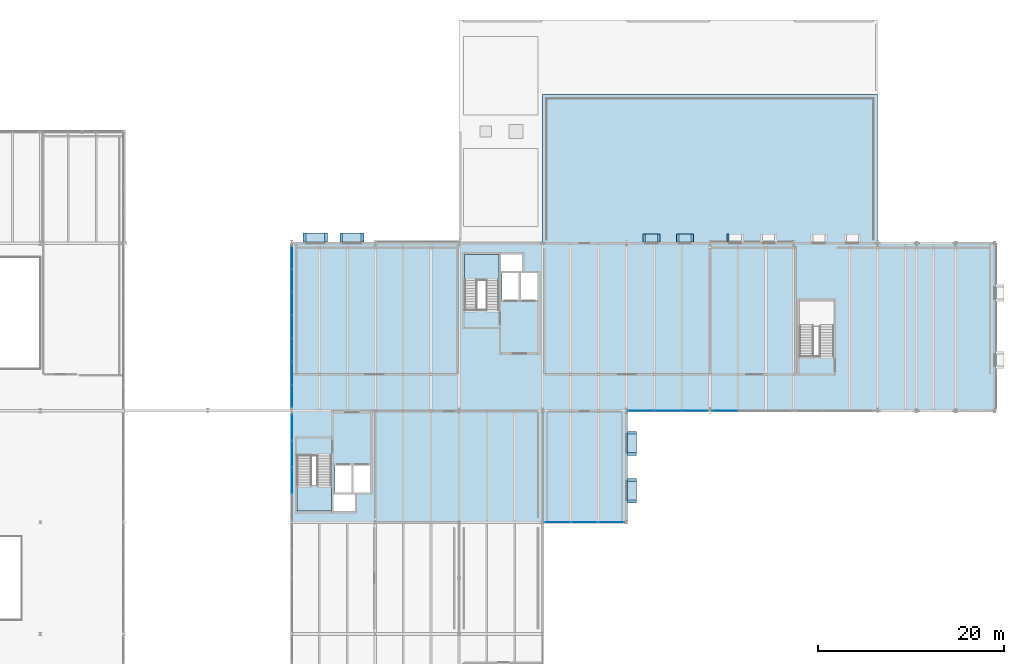
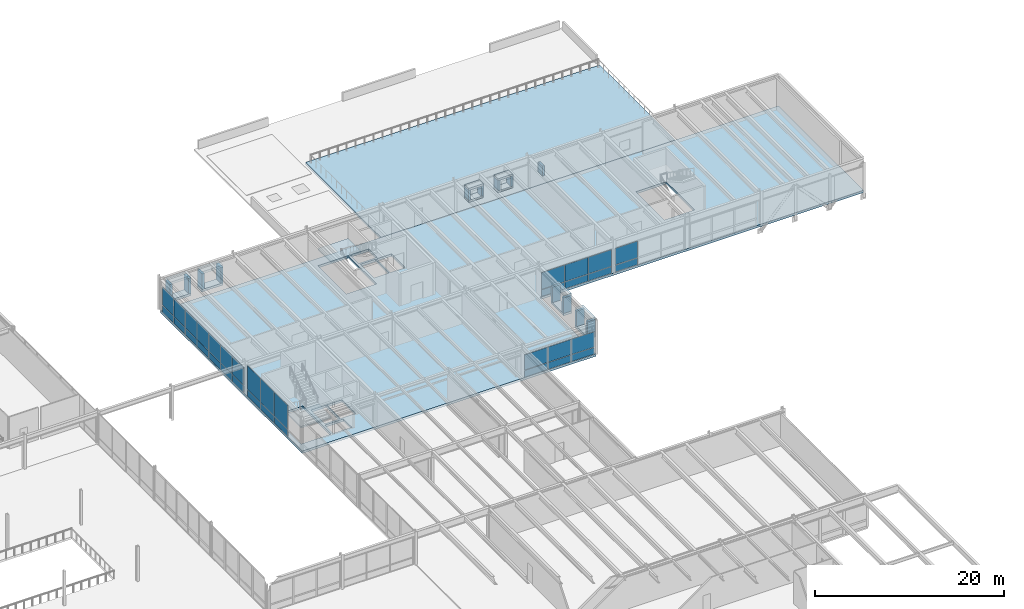
# One storey, part 95 of 115: 59 plates, 4 slabs, 7 elements without a shape of their own.
"""IFC4 building model written with IfcOpenShell, lengths in metres."""

from ifc_helpers import new_model, si_unit, direction, frame, origin, origin_2d, place, context, subcontext, project, spatial, polyline, rectangle, outline, extrude, material, layer, layer_set, type_object, element, aggregate, save


model = new_model("IFC4")

# Units and contexts
model_context = context("Model", 3, precision=1e-05, world=origin(), true_north=direction((0.0, 1.0)))
body_context = subcontext(model_context, "Body", "Model", "MODEL_VIEW")
ifc_project = project(units=[si_unit("LENGTHUNIT", "METRE"), si_unit("AREAUNIT", "SQUARE_METRE"), si_unit("VOLUMEUNIT", "CUBIC_METRE"), si_unit("PLANEANGLEUNIT", "RADIAN"), si_unit("MASSUNIT", "GRAM", prefix="KILO")], contexts=[model_context])

# Site, building, storey
site_placement = place(None, origin())
site = spatial("IfcSite", under=ifc_project, at=site_placement, CompositionType="ELEMENT")
building_placement = place(site_placement, origin())
building = spatial("IfcBuilding", under=site, at=building_placement, Name="Montelvaro Courts of Justice", CompositionType="ELEMENT")
storey_placement = place(building_placement, frame((0.0, 0.0, 9.89990234375)))
storey = spatial("IfcBuildingStorey", under=building, at=storey_placement, Name="L02", CompositionType="ELEMENT", Elevation=9.89990234375)

# Curtain wall, plates
ifc_material_1 = material(Name="Anodised aluminium EN AW-6063", Category="aluminium")
ifc_layer_1 = layer(ifc_material_1, 0.159912109375)
ifc_layer_set_1 = layer_set([ifc_layer_1], Name="Anodised aluminium EN AW-6063")
curtain_wall_type_1 = type_object("IfcCurtainWallType", Name="CurtainWall_18_868x418", PredefinedType="USERDEFINED", material=ifc_layer_set_1)
curtain_wall_1_placement = place(storey_placement, origin())
curtain_wall_1 = element("IfcCurtainWall", 1, at=curtain_wall_1_placement, inside=storey, type_object=curtain_wall_type_1, Name="Curtain Wall CW-18 (L02)", ObjectType="CURTAIN WALL", PredefinedType="USERDEFINED")
ifc_material_2 = material(Name="Low-E solar control double glazing", Category="glass")
ifc_layer_2 = layer(ifc_material_2, 0.028076171875)
ifc_layer_set_2 = layer_set([ifc_layer_2], Name="Low-E solar control double glazing")
plate_type_1 = type_object("IfcPlateType", Name="CurtainWall_Glazed_Panel_28", PredefinedType="CURTAIN_PANEL", material=ifc_layer_set_2)
plate_1_placement = place(storey_placement, frame((127.620361328125, 66.0, 0.06005859375), z_axis=(0.0, 0.0, 1.0), x_axis=(1.0, 0.0, 0.0)))
plate_1 = element("IfcPlate", 2, at=plate_1_placement, type_object=plate_type_1, Name="CW-18 panel 1.1", PredefinedType="CURTAIN_PANEL", context=body_context, shape_type="SweptSolid", body=[
    extrude(rectangle(XDim=2.78076171875, YDim=0.028076171875, at=origin_2d()), origin(), (0.0, 0.0, 1.0), 0.860107421875),
])
plate_2_placement = place(storey_placement, frame((127.620361328125, 66.0, 0.97998046875), z_axis=(0.0, 0.0, 1.0), x_axis=(1.0, 0.0, 0.0)))
plate_2 = element("IfcPlate", 3, at=plate_2_placement, type_object=plate_type_1, Name="CW-18 panel 1.2", PredefinedType="CURTAIN_PANEL", context=body_context, shape_type="SweptSolid", body=[
    extrude(rectangle(XDim=2.78076171875, YDim=0.028076171875, at=origin_2d()), origin(), (0.0, 0.0, 1.0), 1.965087890625),
])
plate_3_placement = place(storey_placement, frame((130.4951171875, 66.0, 0.06005859375), z_axis=(0.0, 0.0, 1.0), x_axis=(1.0, 0.0, 0.0)))
plate_3 = element("IfcPlate", 4, at=plate_3_placement, type_object=plate_type_1, Name="CW-18 panel 2.1", PredefinedType="CURTAIN_PANEL", context=body_context, shape_type="SweptSolid", body=[
    extrude(rectangle(XDim=2.818359375, YDim=0.028076171875, at=origin_2d()), origin(), (0.0, 0.0, 1.0), 0.860107421875),
])
plate_4_placement = place(storey_placement, frame((130.4951171875, 66.0, 0.97998046875), z_axis=(0.0, 0.0, 1.0), x_axis=(1.0, 0.0, 0.0)))
plate_4 = element("IfcPlate", 5, at=plate_4_placement, type_object=plate_type_1, Name="CW-18 panel 2.2", PredefinedType="CURTAIN_PANEL", context=body_context, shape_type="SweptSolid", body=[
    extrude(rectangle(XDim=2.818359375, YDim=0.028076171875, at=origin_2d()), origin(), (0.0, 0.0, 1.0), 1.965087890625),
])
plate_5_placement = place(storey_placement, frame((133.36962890625, 66.0, 0.06005859375), z_axis=(0.0, 0.0, 1.0), x_axis=(1.0, 0.0, 0.0)))
plate_5 = element("IfcPlate", 6, at=plate_5_placement, type_object=plate_type_1, Name="CW-18 panel 3.1", PredefinedType="CURTAIN_PANEL", context=body_context, shape_type="SweptSolid", body=[
    extrude(rectangle(XDim=2.78076171875, YDim=0.028076171875, at=origin_2d()), origin(), (0.0, 0.0, 1.0), 0.860107421875),
])
plate_6_placement = place(storey_placement, frame((133.36962890625, 66.0, 0.97998046875), z_axis=(0.0, 0.0, 1.0), x_axis=(1.0, 0.0, 0.0)))
plate_6 = element("IfcPlate", 7, at=plate_6_placement, type_object=plate_type_1, Name="CW-18 panel 3.2", PredefinedType="CURTAIN_PANEL", context=body_context, shape_type="SweptSolid", body=[
    extrude(rectangle(XDim=2.78076171875, YDim=0.028076171875, at=origin_2d()), origin(), (0.0, 0.0, 1.0), 1.965087890625),
])
aggregate(curtain_wall_1, [plate_1, plate_2, plate_3, plate_4, plate_5, plate_6])

ifc_layer_3 = layer(ifc_material_1, 0.159912109375)
ifc_layer_set_3 = layer_set([ifc_layer_3], Name="Anodised aluminium EN AW-6063")
curtain_wall_type_2 = type_object("IfcCurtainWallType", Name="CurtainWall_14_867x418", PredefinedType="USERDEFINED", material=ifc_layer_set_3)
curtain_wall_2_placement = place(storey_placement, origin())
curtain_wall_2 = element("IfcCurtainWall", 8, at=curtain_wall_2_placement, inside=storey, type_object=curtain_wall_type_2, Name="Curtain Wall CW-14 (L02)", ObjectType="CURTAIN WALL", PredefinedType="USERDEFINED")
plate_7_placement = place(storey_placement, frame((136.625, 78.0, 0.06005859375), z_axis=(0.0, 0.0, 1.0), x_axis=(1.0, 0.0, 0.0)))
plate_7 = element("IfcPlate", 9, at=plate_7_placement, type_object=plate_type_1, Name="CW-14 panel 1.1", PredefinedType="CURTAIN_PANEL", context=body_context, shape_type="SweptSolid", body=[
    extrude(rectangle(XDim=2.800048828125, YDim=0.028076171875, at=origin_2d()), origin(), (0.0, 0.0, 1.0), 0.860107421875),
])
plate_8_placement = place(storey_placement, frame((136.625, 78.0, 0.980224609375), z_axis=(0.0, 0.0, 1.0), x_axis=(1.0, 0.0, 0.0)))
plate_8 = element("IfcPlate", 10, at=plate_8_placement, type_object=plate_type_1, Name="CW-14 panel 1.2", PredefinedType="CURTAIN_PANEL", context=body_context, shape_type="SweptSolid", body=[
    extrude(rectangle(XDim=2.800048828125, YDim=0.028076171875, at=origin_2d()), origin(), (0.0, 0.0, 1.0), 2.14697265625),
])
plate_9_placement = place(storey_placement, frame((139.5, 78.0, 0.06005859375), z_axis=(0.0, 0.0, 1.0), x_axis=(1.0, 0.0, 0.0)))
plate_9 = element("IfcPlate", 11, at=plate_9_placement, type_object=plate_type_1, Name="CW-14 panel 2.1", PredefinedType="CURTAIN_PANEL", context=body_context, shape_type="SweptSolid", body=[
    extrude(rectangle(XDim=2.830078125, YDim=0.028076171875, at=origin_2d()), origin(), (0.0, 0.0, 1.0), 0.860107421875),
])
plate_10_placement = place(storey_placement, frame((139.5, 78.0, 0.980224609375), z_axis=(0.0, 0.0, 1.0), x_axis=(1.0, 0.0, 0.0)))
plate_10 = element("IfcPlate", 12, at=plate_10_placement, type_object=plate_type_1, Name="CW-14 panel 2.2", PredefinedType="CURTAIN_PANEL", context=body_context, shape_type="SweptSolid", body=[
    extrude(rectangle(XDim=2.830078125, YDim=0.028076171875, at=origin_2d()), origin(), (0.0, 0.0, 1.0), 2.14697265625),
])
plate_11_placement = place(storey_placement, frame((142.375, 78.0, 0.06005859375), z_axis=(0.0, 0.0, 1.0), x_axis=(1.0, 0.0, 0.0)))
plate_11 = element("IfcPlate", 13, at=plate_11_placement, type_object=plate_type_1, Name="CW-14 panel 3.1", PredefinedType="CURTAIN_PANEL", context=body_context, shape_type="SweptSolid", body=[
    extrude(rectangle(XDim=2.800048828125, YDim=0.028076171875, at=origin_2d()), origin(), (0.0, 0.0, 1.0), 0.860107421875),
])
plate_12_placement = place(storey_placement, frame((142.375, 78.0, 0.980224609375), z_axis=(0.0, 0.0, 1.0), x_axis=(1.0, 0.0, 0.0)))
plate_12 = element("IfcPlate", 14, at=plate_12_placement, type_object=plate_type_1, Name="CW-14 panel 3.2", PredefinedType="CURTAIN_PANEL", context=body_context, shape_type="SweptSolid", body=[
    extrude(rectangle(XDim=2.800048828125, YDim=0.028076171875, at=origin_2d()), origin(), (0.0, 0.0, 1.0), 2.14697265625),
])
aggregate(curtain_wall_2, [plate_7, plate_8, plate_9, plate_10, plate_11, plate_12])

ifc_layer_4 = layer(ifc_material_1, 0.159912109375)
ifc_layer_set_4 = layer_set([ifc_layer_4], Name="Anodised aluminium EN AW-6063")
curtain_wall_type_3 = type_object("IfcCurtainWallType", Name="CurtainWall_21_849x418", PredefinedType="USERDEFINED", material=ifc_layer_set_4)
curtain_wall_3_placement = place(storey_placement, origin())
curtain_wall_3 = element("IfcCurtainWall", 15, at=curtain_wall_3_placement, inside=storey, type_object=curtain_wall_type_3, Name="Curtain Wall CW-21 (L02)", ObjectType="CURTAIN WALL", PredefinedType="USERDEFINED")
plate_13_placement = place(storey_placement, frame((145.60009765625, 78.0, 0.0751953125), z_axis=(0.0, 0.0, 1.0), x_axis=(1.0, 0.0, 0.0)))
plate_13 = element("IfcPlate", 16, at=plate_13_placement, type_object=plate_type_1, Name="CW-21 panel 1.1", PredefinedType="CURTAIN_PANEL", context=body_context, shape_type="SweptSolid", body=[
    extrude(rectangle(XDim=2.75, YDim=0.028076171875, at=origin_2d()), origin(), (0.0, 0.0, 1.0), 0.83740234375),
])
plate_14_placement = place(storey_placement, frame((145.60009765625, 78.0, 0.987548828125), z_axis=(0.0, 0.0, 1.0), x_axis=(1.0, 0.0, 0.0)))
plate_14 = element("IfcPlate", 17, at=plate_14_placement, type_object=plate_type_1, Name="CW-21 panel 1.2", PredefinedType="CURTAIN_PANEL", context=body_context, shape_type="SweptSolid", body=[
    extrude(rectangle(XDim=2.75, YDim=0.028076171875, at=origin_2d()), origin(), (0.0, 0.0, 1.0), 2.12451171875),
])
aggregate(curtain_wall_3, [plate_13, plate_14])

ifc_layer_5 = layer(ifc_material_1, 0.159912109375)
ifc_layer_set_5 = layer_set([ifc_layer_5], Name="Anodised aluminium EN AW-6063")
curtain_wall_type_4 = type_object("IfcCurtainWallType", Name="CurtainWall_27_1737x418", PredefinedType="USERDEFINED", material=ifc_layer_set_5)
curtain_wall_4_placement = place(storey_placement, origin())
curtain_wall_4 = element("IfcCurtainWall", 18, at=curtain_wall_4_placement, inside=storey, type_object=curtain_wall_type_4, Name="Curtain Wall CW-27 (L02)", ObjectType="CURTAIN WALL", PredefinedType="USERDEFINED")
plate_15_placement = place(storey_placement, frame((99.050048828125, 94.427978515625, 0.06005859375), z_axis=(0.0, 0.0, 1.0), x_axis=(0.0, -1.0, 0.0)))
plate_15 = element("IfcPlate", 19, at=plate_15_placement, type_object=plate_type_1, Name="CW-27 panel 1.1", PredefinedType="CURTAIN_PANEL", context=body_context, shape_type="SweptSolid", body=[
    extrude(rectangle(XDim=2.384033203125, YDim=0.028076171875, at=origin_2d()), origin(), (0.0, 0.0, 1.0), 0.860107421875),
])
plate_16_placement = place(storey_placement, frame((99.050048828125, 94.427978515625, 0.980224609375), z_axis=(0.0, 0.0, 1.0), x_axis=(0.0, -1.0, 0.0)))
plate_16 = element("IfcPlate", 20, at=plate_16_placement, type_object=plate_type_1, Name="CW-27 panel 1.2", PredefinedType="CURTAIN_PANEL", context=body_context, shape_type="SweptSolid", body=[
    extrude(rectangle(XDim=2.384033203125, YDim=0.028076171875, at=origin_2d()), origin(), (0.0, 0.0, 1.0), 2.35498046875),
])
plate_17_placement = place(storey_placement, frame((99.050048828125, 91.962890625, 0.06005859375), z_axis=(0.0, 0.0, 1.0), x_axis=(0.0, -1.0, 0.0)))
plate_17 = element("IfcPlate", 21, at=plate_17_placement, type_object=plate_type_1, Name="CW-27 panel 2.1", PredefinedType="CURTAIN_PANEL", context=body_context, shape_type="SweptSolid", body=[
    extrude(rectangle(XDim=2.41650390625, YDim=0.028076171875, at=origin_2d()), origin(), (0.0, 0.0, 1.0), 0.860107421875),
])
plate_18_placement = place(storey_placement, frame((99.050048828125, 91.962890625, 0.980224609375), z_axis=(0.0, 0.0, 1.0), x_axis=(0.0, -1.0, 0.0)))
plate_18 = element("IfcPlate", 22, at=plate_18_placement, type_object=plate_type_1, Name="CW-27 panel 2.2", PredefinedType="CURTAIN_PANEL", context=body_context, shape_type="SweptSolid", body=[
    extrude(rectangle(XDim=2.41650390625, YDim=0.028076171875, at=origin_2d()), origin(), (0.0, 0.0, 1.0), 2.35498046875),
])
plate_19_placement = place(storey_placement, frame((99.050048828125, 89.4814453125, 0.06005859375), z_axis=(0.0, 0.0, 1.0), x_axis=(0.0, -1.0, 0.0)))
plate_19 = element("IfcPlate", 23, at=plate_19_placement, type_object=plate_type_1, Name="CW-27 panel 3.1", PredefinedType="CURTAIN_PANEL", context=body_context, shape_type="SweptSolid", body=[
    extrude(rectangle(XDim=2.41650390625, YDim=0.028076171875, at=origin_2d()), origin(), (0.0, 0.0, 1.0), 0.860107421875),
])
plate_20_placement = place(storey_placement, frame((99.050048828125, 89.4814453125, 0.980224609375), z_axis=(0.0, 0.0, 1.0), x_axis=(0.0, -1.0, 0.0)))
plate_20 = element("IfcPlate", 24, at=plate_20_placement, type_object=plate_type_1, Name="CW-27 panel 3.2", PredefinedType="CURTAIN_PANEL", context=body_context, shape_type="SweptSolid", body=[
    extrude(rectangle(XDim=2.41650390625, YDim=0.028076171875, at=origin_2d()), origin(), (0.0, 0.0, 1.0), 2.35498046875),
])
plate_21_placement = place(storey_placement, frame((99.050048828125, 87.0, 0.06005859375), z_axis=(0.0, 0.0, 1.0), x_axis=(0.0, -1.0, 0.0)))
plate_21 = element("IfcPlate", 25, at=plate_21_placement, type_object=plate_type_1, Name="CW-27 panel 4.1", PredefinedType="CURTAIN_PANEL", context=body_context, shape_type="SweptSolid", body=[
    extrude(rectangle(XDim=2.41650390625, YDim=0.028076171875, at=origin_2d()), origin(), (0.0, 0.0, 1.0), 0.860107421875),
])
plate_22_placement = place(storey_placement, frame((99.050048828125, 87.0, 0.980224609375), z_axis=(0.0, 0.0, 1.0), x_axis=(0.0, -1.0, 0.0)))
plate_22 = element("IfcPlate", 26, at=plate_22_placement, type_object=plate_type_1, Name="CW-27 panel 4.2", PredefinedType="CURTAIN_PANEL", context=body_context, shape_type="SweptSolid", body=[
    extrude(rectangle(XDim=2.41650390625, YDim=0.028076171875, at=origin_2d()), origin(), (0.0, 0.0, 1.0), 2.35498046875),
])
plate_23_placement = place(storey_placement, frame((99.050048828125, 84.5185546875, 0.06005859375), z_axis=(0.0, 0.0, 1.0), x_axis=(0.0, -1.0, 0.0)))
plate_23 = element("IfcPlate", 27, at=plate_23_placement, type_object=plate_type_1, Name="CW-27 panel 5.1", PredefinedType="CURTAIN_PANEL", context=body_context, shape_type="SweptSolid", body=[
    extrude(rectangle(XDim=2.41650390625, YDim=0.028076171875, at=origin_2d()), origin(), (0.0, 0.0, 1.0), 0.860107421875),
])
plate_24_placement = place(storey_placement, frame((99.050048828125, 84.5185546875, 0.980224609375), z_axis=(0.0, 0.0, 1.0), x_axis=(0.0, -1.0, 0.0)))
plate_24 = element("IfcPlate", 28, at=plate_24_placement, type_object=plate_type_1, Name="CW-27 panel 5.2", PredefinedType="CURTAIN_PANEL", context=body_context, shape_type="SweptSolid", body=[
    extrude(rectangle(XDim=2.41650390625, YDim=0.028076171875, at=origin_2d()), origin(), (0.0, 0.0, 1.0), 2.35498046875),
])
plate_25_placement = place(storey_placement, frame((99.050048828125, 82.037109375, 0.06005859375), z_axis=(0.0, 0.0, 1.0), x_axis=(0.0, -1.0, 0.0)))
plate_25 = element("IfcPlate", 29, at=plate_25_placement, type_object=plate_type_1, Name="CW-27 panel 6.1", PredefinedType="CURTAIN_PANEL", context=body_context, shape_type="SweptSolid", body=[
    extrude(rectangle(XDim=2.41650390625, YDim=0.028076171875, at=origin_2d()), origin(), (0.0, 0.0, 1.0), 0.860107421875),
])
plate_26_placement = place(storey_placement, frame((99.050048828125, 82.037109375, 0.980224609375), z_axis=(0.0, 0.0, 1.0), x_axis=(0.0, -1.0, 0.0)))
plate_26 = element("IfcPlate", 30, at=plate_26_placement, type_object=plate_type_1, Name="CW-27 panel 6.2", PredefinedType="CURTAIN_PANEL", context=body_context, shape_type="SweptSolid", body=[
    extrude(rectangle(XDim=2.41650390625, YDim=0.028076171875, at=origin_2d()), origin(), (0.0, 0.0, 1.0), 2.35498046875),
])
plate_27_placement = place(storey_placement, frame((99.050048828125, 79.572021484375, 0.06005859375), z_axis=(0.0, 0.0, 1.0), x_axis=(0.0, -1.0, 0.0)))
plate_27 = element("IfcPlate", 31, at=plate_27_placement, type_object=plate_type_1, Name="CW-27 panel 7.1", PredefinedType="CURTAIN_PANEL", context=body_context, shape_type="SweptSolid", body=[
    extrude(rectangle(XDim=2.384033203125, YDim=0.028076171875, at=origin_2d()), origin(), (0.0, 0.0, 1.0), 0.860107421875),
])
plate_28_placement = place(storey_placement, frame((99.050048828125, 79.572021484375, 0.980224609375), z_axis=(0.0, 0.0, 1.0), x_axis=(0.0, -1.0, 0.0)))
plate_28 = element("IfcPlate", 32, at=plate_28_placement, type_object=plate_type_1, Name="CW-27 panel 7.2", PredefinedType="CURTAIN_PANEL", context=body_context, shape_type="SweptSolid", body=[
    extrude(rectangle(XDim=2.384033203125, YDim=0.028076171875, at=origin_2d()), origin(), (0.0, 0.0, 1.0), 2.35498046875),
])
aggregate(curtain_wall_4, [plate_15, plate_16, plate_17, plate_18, plate_19, plate_20, plate_21, plate_22, plate_23, plate_24, plate_25, plate_26, plate_27, plate_28])

ifc_layer_6 = layer(ifc_material_1, 0.159912109375)
ifc_layer_set_6 = layer_set([ifc_layer_6], Name="Anodised aluminium EN AW-6063")
curtain_wall_type_5 = type_object("IfcCurtainWallType", Name="CurtainWall_23_1154x418", PredefinedType="USERDEFINED", material=ifc_layer_set_6)
curtain_wall_5_placement = place(storey_placement, origin())
curtain_wall_5 = element("IfcCurtainWall", 33, at=curtain_wall_5_placement, inside=storey, type_object=curtain_wall_type_5, Name="Curtain Wall CW-23 (L02)", ObjectType="CURTAIN WALL", PredefinedType="USERDEFINED")
plate_29_placement = place(storey_placement, frame((99.050048828125, 76.22509765625, 0.06005859375), z_axis=(0.0, 0.0, 1.0), x_axis=(0.0, -1.0, 0.0)))
plate_29 = element("IfcPlate", 34, at=plate_29_placement, type_object=plate_type_1, Name="CW-23 panel 1.1", PredefinedType="CURTAIN_PANEL", context=body_context, shape_type="SweptSolid", body=[
    extrude(rectangle(XDim=2.77001953125, YDim=0.028076171875, at=origin_2d()), origin(), (0.0, 0.0, 1.0), 0.860107421875),
])
plate_30_placement = place(storey_placement, frame((99.050048828125, 76.22509765625, 0.97998046875), z_axis=(0.0, 0.0, 1.0), x_axis=(0.0, -1.0, 0.0)))
plate_30 = element("IfcPlate", 35, at=plate_30_placement, type_object=plate_type_1, Name="CW-23 panel 1.2", PredefinedType="CURTAIN_PANEL", context=body_context, shape_type="SweptSolid", body=[
    extrude(rectangle(XDim=2.77001953125, YDim=0.028076171875, at=origin_2d()), origin(), (0.0, 0.0, 1.0), 3.080078125),
])
plate_31_placement = place(storey_placement, frame((99.050048828125, 73.361328125, 0.06005859375), z_axis=(0.0, 0.0, 1.0), x_axis=(0.0, -1.0, 0.0)))
plate_31 = element("IfcPlate", 36, at=plate_31_placement, type_object=plate_type_1, Name="CW-23 panel 2.1", PredefinedType="CURTAIN_PANEL", context=body_context, shape_type="SweptSolid", body=[
    extrude(rectangle(XDim=2.8076171875, YDim=0.028076171875, at=origin_2d()), origin(), (0.0, 0.0, 1.0), 0.860107421875),
])
plate_32_placement = place(storey_placement, frame((99.050048828125, 73.361328125, 0.97998046875), z_axis=(0.0, 0.0, 1.0), x_axis=(0.0, -1.0, 0.0)))
plate_32 = element("IfcPlate", 37, at=plate_32_placement, type_object=plate_type_1, Name="CW-23 panel 2.2", PredefinedType="CURTAIN_PANEL", context=body_context, shape_type="SweptSolid", body=[
    extrude(rectangle(XDim=2.8076171875, YDim=0.028076171875, at=origin_2d()), origin(), (0.0, 0.0, 1.0), 3.080078125),
])
plate_33_placement = place(storey_placement, frame((99.050048828125, 70.478759765625, 0.06005859375), z_axis=(0.0, 0.0, 1.0), x_axis=(0.0, -1.0, 0.0)))
plate_33 = element("IfcPlate", 38, at=plate_33_placement, type_object=plate_type_1, Name="CW-23 panel 3.1", PredefinedType="CURTAIN_PANEL", context=body_context, shape_type="SweptSolid", body=[
    extrude(rectangle(XDim=2.8076171875, YDim=0.028076171875, at=origin_2d()), origin(), (0.0, 0.0, 1.0), 0.860107421875),
])
plate_34_placement = place(storey_placement, frame((99.050048828125, 70.478759765625, 0.97998046875), z_axis=(0.0, 0.0, 1.0), x_axis=(0.0, -1.0, 0.0)))
plate_34 = element("IfcPlate", 39, at=plate_34_placement, type_object=plate_type_1, Name="CW-23 panel 3.2", PredefinedType="CURTAIN_PANEL", context=body_context, shape_type="SweptSolid", body=[
    extrude(rectangle(XDim=2.8076171875, YDim=0.028076171875, at=origin_2d()), origin(), (0.0, 0.0, 1.0), 3.080078125),
])
aggregate(curtain_wall_5, [plate_29, plate_30, plate_31, plate_32, plate_33, plate_34])

# Slab
ifc_material_3 = material(Name="Concrete C35/45", Category="concrete")
ifc_layer_7 = layer(ifc_material_3, 0.300048828125)
ifc_layer_set_7 = layer_set([ifc_layer_7], Name="Concrete C35/45")
slab_type_1 = type_object("IfcSlabType", Name="FloorSlab_300", PredefinedType="FLOOR", material=ifc_layer_set_7)
slab_1_placement = place(storey_placement, frame((0.0, 0.0, -0.2998046875)))
element("IfcSlab", 40, at=slab_1_placement, inside=storey, type_object=slab_type_1, Name="Structural Slab SF-02 L02", PredefinedType="FLOOR", context=body_context, shape_type="SweptSolid", body=[
    extrude(outline(polyline([(99.050048828125, 66.0), (135.0, 66.0), (135.0, 78.0), (174.60009765625, 78.0), (174.60009765625, 96.0), (99.050048828125, 96.0), (99.050048828125, 66.0)]), holes=[polyline([(117.60009765625, 88.800048828125), (121.300048828125, 88.800048828125), (121.300048828125, 94.800048828125), (117.60009765625, 94.800048828125), (117.60009765625, 88.800048828125)]), polyline([(121.5400390625, 93.0400390625), (123.800048828125, 93.0400390625), (123.800048828125, 94.800048828125), (121.5400390625, 94.800048828125), (121.5400390625, 93.0400390625)]), polyline([(121.64990234375, 89.89990234375), (123.5, 89.89990234375), (123.5, 92.800048828125), (121.64990234375, 92.800048828125), (121.64990234375, 89.89990234375)]), polyline([(123.60009765625, 89.89990234375), (125.449951171875, 89.89990234375), (125.449951171875, 92.800048828125), (123.60009765625, 92.800048828125), (123.60009765625, 89.89990234375)]), polyline([(99.60009765625, 67.199951171875), (103.300048828125, 67.199951171875), (103.300048828125, 73.199951171875), (99.60009765625, 73.199951171875), (99.60009765625, 67.199951171875)]), polyline([(103.5400390625, 67.199951171875), (105.800048828125, 67.199951171875), (105.800048828125, 68.9599609375), (103.5400390625, 68.9599609375), (103.5400390625, 67.199951171875)]), polyline([(103.64990234375, 69.199951171875), (105.5, 69.199951171875), (105.5, 72.10009765625), (103.64990234375, 72.10009765625), (103.64990234375, 69.199951171875)]), polyline([(105.60009765625, 69.199951171875), (107.449951171875, 69.199951171875), (107.449951171875, 72.10009765625), (105.60009765625, 72.10009765625), (105.60009765625, 69.199951171875)]), polyline([(153.60009765625, 83.800048828125), (157.300048828125, 83.800048828125), (157.300048828125, 89.800048828125), (153.60009765625, 89.800048828125), (153.60009765625, 83.800048828125)])]), origin(), (0.0, 0.0, 1.0), 0.2998046875),
])

# Plates
ifc_material_4 = material(Name="White mineral precast concrete C45/55", Category="concrete")
ifc_layer_8 = layer(ifc_material_4, 0.25)
ifc_layer_set_8 = layer_set([ifc_layer_8], Name="White mineral precast concrete C45/55")
plate_type_2 = type_object("IfcPlateType", Name="PrecastSquareFrame_250x850", PredefinedType="SHEET", material=ifc_layer_set_8)
plate_35_placement = place(storey_placement, frame((145.927978515625, 96.570068359375, 0.89990234375), z_axis=(0.0, 0.0, 1.0), x_axis=(-1.0, 0.0, 0.0)))
element("IfcPlate", 41, at=plate_35_placement, inside=storey, type_object=plate_type_2, Name="Graduated Square Window Frame PF-03 W-L02-102 R", PredefinedType="SHEET", context=body_context, shape_type="SweptSolid", body=[
    extrude(rectangle(XDim=0.25, YDim=0.860107421875, at=origin_2d()), origin(), (0.0, 0.0, 1.0), 1.300048828125),
])
for number, where, z_axis, x_axis, name in (
    (42, (141.297119140625, 96.570068359375, 2.2001953125), (0.0, 0.0, 1.0), (-1.0, 0.0, 0.0), "Graduated Square Window Frame PF-03 W-L02-103 TOP"),
    (43, (141.297119140625, 96.570068359375, 0.650146484375), (0.0, 0.0, 1.0), (-1.0, 0.0, 0.0), "Graduated Square Window Frame PF-03 W-L02-103 BOT"),
):
    element("IfcPlate", number, at=place(storey_placement, frame(where, z_axis=z_axis, x_axis=x_axis)), inside=storey, type_object=plate_type_2, Name=name, PredefinedType="SHEET", context=body_context, shape_type="SweptSolid", body=[
        extrude(rectangle(XDim=1.800048828125, YDim=0.860107421875, at=origin_2d()), origin(), (0.0, 0.0, 1.0), 0.25),
    ])
for number, where, z_axis, x_axis, name in (
    (44, (142.072021484375, 96.570068359375, 0.89990234375), (0.0, 0.0, 1.0), (-1.0, 0.0, 0.0), "Graduated Square Window Frame PF-03 W-L02-103 L"),
    (45, (140.52197265625, 96.570068359375, 0.89990234375), (0.0, 0.0, 1.0), (-1.0, 0.0, 0.0), "Graduated Square Window Frame PF-03 W-L02-103 R"),
):
    element("IfcPlate", number, at=place(storey_placement, frame(where, z_axis=z_axis, x_axis=x_axis)), inside=storey, type_object=plate_type_2, Name=name, PredefinedType="SHEET", context=body_context, shape_type="SweptSolid", body=[
        extrude(rectangle(XDim=0.25, YDim=0.860107421875, at=origin_2d()), origin(), (0.0, 0.0, 1.0), 1.300048828125),
    ])
for number, where, z_axis, x_axis, name in (
    (46, (137.702880859375, 96.570068359375, 2.2001953125), (0.0, 0.0, 1.0), (-1.0, 0.0, 0.0), "Graduated Square Window Frame PF-03 W-L02-104 TOP"),
    (47, (137.702880859375, 96.570068359375, 0.650146484375), (0.0, 0.0, 1.0), (-1.0, 0.0, 0.0), "Graduated Square Window Frame PF-03 W-L02-104 BOT"),
):
    element("IfcPlate", number, at=place(storey_placement, frame(where, z_axis=z_axis, x_axis=x_axis)), inside=storey, type_object=plate_type_2, Name=name, PredefinedType="SHEET", context=body_context, shape_type="SweptSolid", body=[
        extrude(rectangle(XDim=1.800048828125, YDim=0.860107421875, at=origin_2d()), origin(), (0.0, 0.0, 1.0), 0.25),
    ])
for number, where, z_axis, x_axis, name in (
    (48, (138.47802734375, 96.570068359375, 0.89990234375), (0.0, 0.0, 1.0), (-1.0, 0.0, 0.0), "Graduated Square Window Frame PF-03 W-L02-104 L"),
    (49, (136.927978515625, 96.570068359375, 0.89990234375), (0.0, 0.0, 1.0), (-1.0, 0.0, 0.0), "Graduated Square Window Frame PF-03 W-L02-104 R"),
):
    element("IfcPlate", number, at=place(storey_placement, frame(where, z_axis=z_axis, x_axis=x_axis)), inside=storey, type_object=plate_type_2, Name=name, PredefinedType="SHEET", context=body_context, shape_type="SweptSolid", body=[
        extrude(rectangle(XDim=0.25, YDim=0.860107421875, at=origin_2d()), origin(), (0.0, 0.0, 1.0), 1.300048828125),
    ])
ifc_layer_9 = layer(ifc_material_4, 0.300048828125)
ifc_layer_set_9 = layer_set([ifc_layer_9], Name="White mineral precast concrete C45/55")
plate_type_3 = type_object("IfcPlateType", Name="PrecastSquareFrame_300x950", PredefinedType="SHEET", material=ifc_layer_set_9)
for number, where, z_axis, x_axis, name in (
    (50, (135.6201171875, 69.389892578125, 2.80029296875), (0.0, 0.0, 1.0), (0.0, 1.0, 0.0), "Graduated Square Window Frame PF-02 W-L02-095 TOP"),
    (51, (135.6201171875, 69.389892578125, 0.5), (0.0, 0.0, 1.0), (0.0, 1.0, 0.0), "Graduated Square Window Frame PF-02 W-L02-095 BOT"),
):
    element("IfcPlate", number, at=place(storey_placement, frame(where, z_axis=z_axis, x_axis=x_axis)), inside=storey, type_object=plate_type_3, Name=name, PredefinedType="SHEET", context=body_context, shape_type="SweptSolid", body=[
        extrude(rectangle(XDim=2.60009765625, YDim=0.9599609375, at=origin_2d()), origin(), (0.0, 0.0, 1.0), 0.300048828125),
    ])
for number, where, z_axis, x_axis, name in (
    (52, (135.6201171875, 68.239990234375, 0.800048828125), (0.0, 0.0, 1.0), (0.0, 1.0, 0.0), "Graduated Square Window Frame PF-02 W-L02-095 L"),
    (53, (135.6201171875, 70.5400390625, 0.800048828125), (0.0, 0.0, 1.0), (0.0, 1.0, 0.0), "Graduated Square Window Frame PF-02 W-L02-095 R"),
):
    element("IfcPlate", number, at=place(storey_placement, frame(where, z_axis=z_axis, x_axis=x_axis)), inside=storey, type_object=plate_type_3, Name=name, PredefinedType="SHEET", context=body_context, shape_type="SweptSolid", body=[
        extrude(rectangle(XDim=0.300048828125, YDim=0.9599609375, at=origin_2d()), origin(), (0.0, 0.0, 1.0), 2.0),
    ])
for number, where, z_axis, x_axis, name in (
    (54, (135.6201171875, 74.485107421875, 2.80029296875), (0.0, 0.0, 1.0), (0.0, 1.0, 0.0), "Graduated Square Window Frame PF-02 W-L02-096 TOP"),
    (55, (135.6201171875, 74.485107421875, 0.5), (0.0, 0.0, 1.0), (0.0, 1.0, 0.0), "Graduated Square Window Frame PF-02 W-L02-096 BOT"),
):
    element("IfcPlate", number, at=place(storey_placement, frame(where, z_axis=z_axis, x_axis=x_axis)), inside=storey, type_object=plate_type_3, Name=name, PredefinedType="SHEET", context=body_context, shape_type="SweptSolid", body=[
        extrude(rectangle(XDim=2.60009765625, YDim=0.9599609375, at=origin_2d()), origin(), (0.0, 0.0, 1.0), 0.300048828125),
    ])
for number, where, z_axis, x_axis, name in (
    (56, (135.6201171875, 73.3349609375, 0.800048828125), (0.0, 0.0, 1.0), (0.0, 1.0, 0.0), "Graduated Square Window Frame PF-02 W-L02-096 L"),
    (57, (135.6201171875, 75.635009765625, 0.800048828125), (0.0, 0.0, 1.0), (0.0, 1.0, 0.0), "Graduated Square Window Frame PF-02 W-L02-096 R"),
):
    element("IfcPlate", number, at=place(storey_placement, frame(where, z_axis=z_axis, x_axis=x_axis)), inside=storey, type_object=plate_type_3, Name=name, PredefinedType="SHEET", context=body_context, shape_type="SweptSolid", body=[
        extrude(rectangle(XDim=0.300048828125, YDim=0.9599609375, at=origin_2d()), origin(), (0.0, 0.0, 1.0), 2.0),
    ])
for number, where, z_axis, x_axis, name in (
    (58, (105.489990234375, 96.6201171875, 2.80029296875), (0.0, 0.0, 1.0), (-1.0, 0.0, 0.0), "Graduated Square Window Frame PF-02 W-L02-105 TOP"),
    (59, (105.489990234375, 96.6201171875, 0.5), (0.0, 0.0, 1.0), (-1.0, 0.0, 0.0), "Graduated Square Window Frame PF-02 W-L02-105 BOT"),
):
    element("IfcPlate", number, at=place(storey_placement, frame(where, z_axis=z_axis, x_axis=x_axis)), inside=storey, type_object=plate_type_3, Name=name, PredefinedType="SHEET", context=body_context, shape_type="SweptSolid", body=[
        extrude(rectangle(XDim=2.60009765625, YDim=0.9599609375, at=origin_2d()), origin(), (0.0, 0.0, 1.0), 0.300048828125),
    ])
for number, where, z_axis, x_axis, name in (
    (60, (106.639892578125, 96.6201171875, 0.800048828125), (0.0, 0.0, 1.0), (-1.0, 0.0, 0.0), "Graduated Square Window Frame PF-02 W-L02-105 L"),
    (61, (104.340087890625, 96.6201171875, 0.800048828125), (0.0, 0.0, 1.0), (-1.0, 0.0, 0.0), "Graduated Square Window Frame PF-02 W-L02-105 R"),
):
    element("IfcPlate", number, at=place(storey_placement, frame(where, z_axis=z_axis, x_axis=x_axis)), inside=storey, type_object=plate_type_3, Name=name, PredefinedType="SHEET", context=body_context, shape_type="SweptSolid", body=[
        extrude(rectangle(XDim=0.300048828125, YDim=0.9599609375, at=origin_2d()), origin(), (0.0, 0.0, 1.0), 2.0),
    ])
for number, where, z_axis, x_axis, name in (
    (62, (101.56005859375, 96.6201171875, 2.80029296875), (0.0, 0.0, 1.0), (-1.0, 0.0, 0.0), "Graduated Square Window Frame PF-02 W-L02-106 TOP"),
    (63, (101.56005859375, 96.6201171875, 0.5), (0.0, 0.0, 1.0), (-1.0, 0.0, 0.0), "Graduated Square Window Frame PF-02 W-L02-106 BOT"),
):
    element("IfcPlate", number, at=place(storey_placement, frame(where, z_axis=z_axis, x_axis=x_axis)), inside=storey, type_object=plate_type_3, Name=name, PredefinedType="SHEET", context=body_context, shape_type="SweptSolid", body=[
        extrude(rectangle(XDim=2.60009765625, YDim=0.9599609375, at=origin_2d()), origin(), (0.0, 0.0, 1.0), 0.300048828125),
    ])
for number, where, z_axis, x_axis, name in (
    (64, (102.7099609375, 96.6201171875, 0.800048828125), (0.0, 0.0, 1.0), (-1.0, 0.0, 0.0), "Graduated Square Window Frame PF-02 W-L02-106 L"),
    (65, (100.409912109375, 96.6201171875, 0.800048828125), (0.0, 0.0, 1.0), (-1.0, 0.0, 0.0), "Graduated Square Window Frame PF-02 W-L02-106 R"),
):
    element("IfcPlate", number, at=place(storey_placement, frame(where, z_axis=z_axis, x_axis=x_axis)), inside=storey, type_object=plate_type_3, Name=name, PredefinedType="SHEET", context=body_context, shape_type="SweptSolid", body=[
        extrude(rectangle(XDim=0.300048828125, YDim=0.9599609375, at=origin_2d()), origin(), (0.0, 0.0, 1.0), 2.0),
    ])

# Stair, slab
stair_type_1 = type_object("IfcStairType", Name="ProtectedStair_135", PredefinedType="HALF_TURN_STAIR", material=ifc_material_3)
stair_1_placement = place(storey_placement, origin())
stair_1 = element("IfcStair", 66, at=stair_1_placement, inside=storey, type_object=stair_type_1, Name="Protected Stair ST-K3-L02", PredefinedType="HALF_TURN_STAIR")
ifc_layer_10 = layer(ifc_material_3, 0.199951171875)
ifc_layer_set_10 = layer_set([ifc_layer_10], Name="Concrete C35/45")
slab_type_2 = type_object("IfcSlabType", Name="StairLanding_200", PredefinedType="LANDING", material=ifc_layer_set_10)
slab_2_placement = place(storey_placement, frame((0.0, 0.0, 2.050048828125)))
slab_2 = element("IfcSlab", 67, at=slab_2_placement, type_object=slab_type_2, Name="ST-K3-L02 landing 1", PredefinedType="LANDING", context=body_context, shape_type="SweptSolid", body=[
    extrude(outline(polyline([(117.60009765625, 92.06494140625), (121.300048828125, 92.06494140625), (121.300048828125, 94.800048828125), (117.60009765625, 94.800048828125), (117.60009765625, 92.06494140625)])), origin(), (0.0, 0.0, 1.0), 0.199951171875),
])
aggregate(stair_1, [slab_2])

stair_type_2 = type_object("IfcStairType", Name="ProtectedStair_155", PredefinedType="HALF_TURN_STAIR", material=ifc_material_3)
stair_2_placement = place(storey_placement, origin())
stair_2 = element("IfcStair", 68, at=stair_2_placement, inside=storey, type_object=stair_type_2, Name="Protected Stair ST-K4-L02", PredefinedType="HALF_TURN_STAIR")
slab_3_placement = place(storey_placement, frame((0.0, 0.0, 2.050048828125)))
slab_3 = element("IfcSlab", 69, at=slab_3_placement, type_object=slab_type_2, Name="ST-K4-L02 landing 1", PredefinedType="LANDING", context=body_context, shape_type="SweptSolid", body=[
    extrude(outline(polyline([(99.60009765625, 67.199951171875), (103.300048828125, 67.199951171875), (103.300048828125, 69.93505859375), (99.60009765625, 69.93505859375), (99.60009765625, 67.199951171875)])), origin(), (0.0, 0.0, 1.0), 0.199951171875),
])
aggregate(stair_2, [slab_3])

# Slab
ifc_layer_11 = layer(ifc_material_3, 0.300048828125)
ifc_layer_set_11 = layer_set([ifc_layer_11], Name="Concrete C35/45")
slab_type_3 = type_object("IfcSlabType", Name="TerraceSlab_300", PredefinedType="FLOOR", material=ifc_layer_set_11)
slab_4_placement = place(storey_placement, frame((0.0, 0.0, -0.2998046875)))
element("IfcSlab", 70, at=slab_4_placement, inside=storey, type_object=slab_type_3, Name="Custody Roof Planted Terrace", PredefinedType="FLOOR", context=body_context, shape_type="SweptSolid", body=[
    extrude(outline(polyline([(126.0, 96.0), (162.0, 96.0), (162.0, 112.0), (126.0, 112.0), (126.0, 96.0)])), origin(), (0.0, 0.0, 1.0), 0.2998046875),
])

save(model, "model.ifc")
